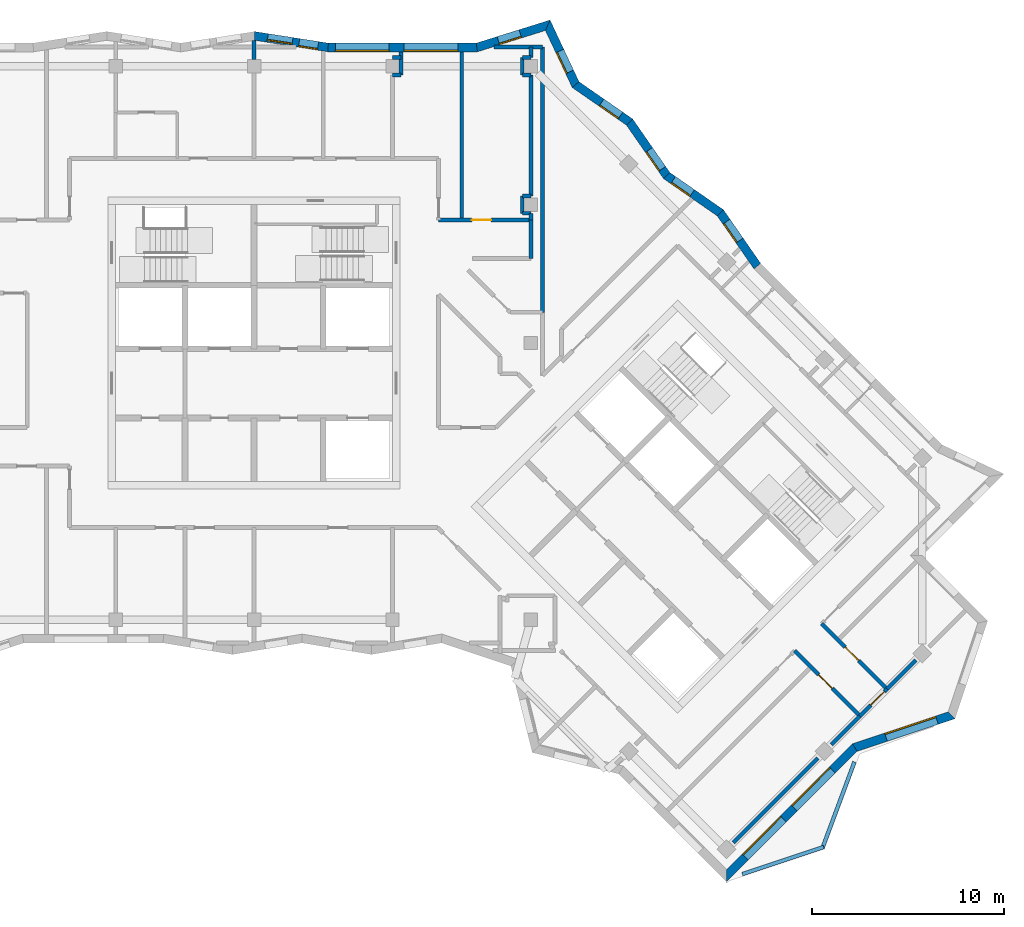
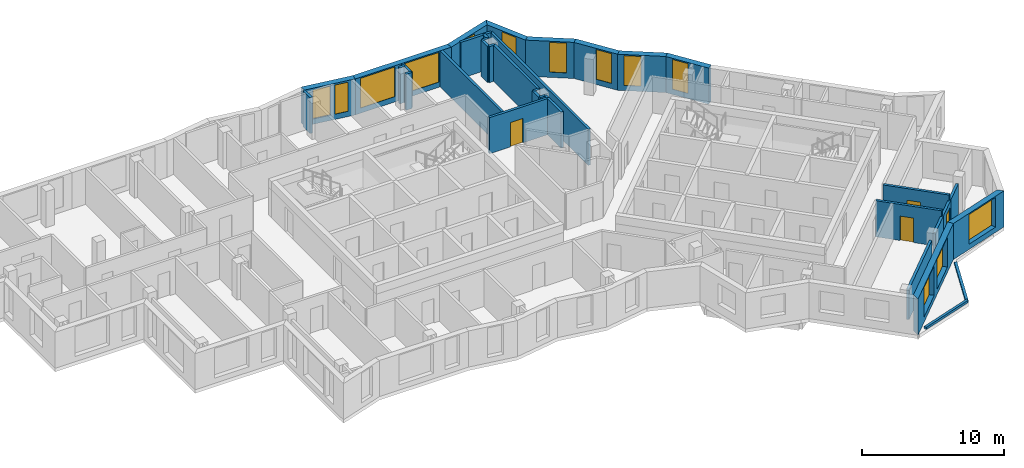
# One storey, part 7 of 12: 36 walls, 13 windows, 4 doors, 17 openings.
"""IFC4 building model written with IfcOpenShell, lengths in metres."""

from ifc_helpers import new_model, si_unit, direction, frame, frame_2d, origin, place, context, subcontext, project, spatial, polyline, rectangle, outline, extrude, material, layer, layer_set, type_object, element, fill, save


model = new_model("IFC4")

# Units and contexts
model_context = context("Model", 3, precision=1e-05, world=origin(), true_north=direction((0.0, 1.0)))
body_context = subcontext(model_context, "Body", "Model", "MODEL_VIEW")
ifc_project = project(units=[si_unit("LENGTHUNIT", "METRE"), si_unit("AREAUNIT", "SQUARE_METRE"), si_unit("VOLUMEUNIT", "CUBIC_METRE"), si_unit("PLANEANGLEUNIT", "RADIAN"), si_unit("MASSUNIT", "GRAM", prefix="KILO")], contexts=[model_context])

# Site, building, storey
site_placement = place(None, origin())
site = spatial("IfcSite", under=ifc_project, at=site_placement, CompositionType="ELEMENT")
building_placement = place(site_placement, origin())
building = spatial("IfcBuilding", under=site, at=building_placement, Name="Windrow Commons", CompositionType="ELEMENT")
storey_placement = place(building_placement, frame((0.0, 0.0, 277.8)))
storey = spatial("IfcBuildingStorey", under=building, at=storey_placement, Name="L76", CompositionType="ELEMENT", Elevation=277.8)

# Wall, openings, windows
ifc_material_1 = material(Name="Brick masonry, red clay brick", Category="masonry")
ifc_layer_1 = layer(ifc_material_1, 0.45)
ifc_layer_set_1 = layer_set([ifc_layer_1], Name="Brick facade wall 450")
wall_type_1 = type_object("IfcWallType", Name="Brick facade wall 450", PredefinedType="SOLIDWALL", material=ifc_layer_set_1)
wall_1_placement = place(storey_placement, frame((89.3823, 29.8918, 0.0), z_axis=(0.0, 0.0, 1.0), x_axis=(0.7071067812, 0.7071067812, 0.0)))
wall_1 = element("IfcWall", 1, at=wall_1_placement, inside=storey, type_object=wall_type_1, Name="Brick facade wall L76 1", PredefinedType="SOLIDWALL", context=body_context, shape_type="SweptSolid", body=[
    extrude(outline(polyline([(-0.225, -0.225), (9.375, -0.225), (9.4812, 0.225), (0.225, 0.225), (-0.225, -0.225)])), origin(), (0.0, 0.0, 1.0), 3.1),
])
opening_1_placement = place(wall_1_placement, frame((1.375, 0.0, 0.45)))
opening_1 = element("IfcOpeningElement", 2, at=opening_1_placement, cuts=wall_1, Name="Opening W1V", PredefinedType="OPENING", context=body_context, shape_type="SweptSolid", body=[
    extrude(rectangle(XDim=2.8, YDim=2.55, at=frame_2d((1.4, 1.275))), frame((0.0, 0.235, 0.0), z_axis=(0.0, -1.0, 0.0), x_axis=(1.0, 0.0, 0.0)), (0.0, 0.0, 1.0), 0.47),
])
opening_2_placement = place(wall_1_placement, frame((4.975, 0.0, 0.45)))
opening_2 = element("IfcOpeningElement", 3, at=opening_2_placement, cuts=wall_1, Name="Opening W1V", PredefinedType="OPENING", context=body_context, shape_type="SweptSolid", body=[
    extrude(rectangle(XDim=2.8, YDim=2.55, at=frame_2d((1.4, 1.275))), frame((0.0, 0.235, 0.0), z_axis=(0.0, -1.0, 0.0), x_axis=(1.0, 0.0, 0.0)), (0.0, 0.0, 1.0), 0.47),
])
ifc_material_2 = material(Name="Clear float glass in anodised aluminium frame", Category="aluminium")
window_type_1 = type_object("IfcWindowType", Name="Window W1V bedroom 2800x2550", PartitioningType="SINGLE_PANEL", PredefinedType="WINDOW", material=ifc_material_2)
window_1_placement = place(opening_1_placement, origin())
window_1 = element("IfcWindow", 4, at=window_1_placement, inside=storey, type_object=window_type_1, Name="Window L76 1.1", OverallHeight=2.55, OverallWidth=2.8, PartitioningType="SINGLE_PANEL", PredefinedType="WINDOW", context=body_context, shape_type="SweptSolid", body=[
    extrude(rectangle(XDim=2.8, YDim=2.55, at=frame_2d((1.4, 1.275))), frame((0.0, 0.205, 0.0), z_axis=(0.0, -1.0, 0.0), x_axis=(1.0, 0.0, 0.0)), (0.0, 0.0, 1.0), 0.06),
])
fill(opening_1, window_1)
window_2_placement = place(opening_2_placement, origin())
window_2 = element("IfcWindow", 5, at=window_2_placement, inside=storey, type_object=window_type_1, Name="Window L76 1.2", OverallHeight=2.55, OverallWidth=2.8, PartitioningType="SINGLE_PANEL", PredefinedType="WINDOW", context=body_context, shape_type="SweptSolid", body=[
    extrude(rectangle(XDim=2.8, YDim=2.55, at=frame_2d((1.4, 1.275))), frame((0.0, 0.205, 0.0), z_axis=(0.0, -1.0, 0.0), x_axis=(1.0, 0.0, 0.0)), (0.0, 0.0, 1.0), 0.06),
])
fill(opening_2, window_2)

# Wall, opening, window
wall_2_placement = place(storey_placement, frame((96.049, 36.5585, 0.0), z_axis=(0.0, 0.0, 1.0), x_axis=(0.9486870665, 0.3162164604, 0.0)))
wall_2 = element("IfcWall", 6, at=wall_2_placement, inside=storey, type_object=wall_type_1, Name="Brick facade wall L76 2", PredefinedType="SOLIDWALL", context=body_context, shape_type="SweptSolid", body=[
    extrude(outline(polyline([(0.0531, -0.225), (5.4197, -0.225), (5.1947, 0.225), (-0.0531, 0.225), (0.0531, -0.225)])), origin(), (0.0, 0.0, 1.0), 3.1),
])
opening_3_placement = place(wall_2_placement, frame((1.704, 0.0, 0.45)))
opening_3 = element("IfcOpeningElement", 7, at=opening_3_placement, cuts=wall_2, Name="Opening W1V", PredefinedType="OPENING", context=body_context, shape_type="SweptSolid", body=[
    extrude(rectangle(XDim=2.8, YDim=2.55, at=frame_2d((1.4, 1.275))), frame((0.0, 0.235, 0.0), z_axis=(0.0, -1.0, 0.0), x_axis=(1.0, 0.0, 0.0)), (0.0, 0.0, 1.0), 0.47),
])
window_3_placement = place(opening_3_placement, origin())
window_3 = element("IfcWindow", 8, at=window_3_placement, inside=storey, type_object=window_type_1, Name="Window L76 2.1", OverallHeight=2.55, OverallWidth=2.8, PartitioningType="SINGLE_PANEL", PredefinedType="WINDOW", context=body_context, shape_type="SweptSolid", body=[
    extrude(rectangle(XDim=2.8, YDim=2.55, at=frame_2d((1.4, 1.275))), frame((0.0, 0.205, 0.0), z_axis=(0.0, -1.0, 0.0), x_axis=(1.0, 0.0, 0.0)), (0.0, 0.0, 1.0), 0.06),
])
fill(opening_3, window_3)

wall_3_placement = place(storey_placement, frame((90.9784, 61.6005, 0.0), z_axis=(0.0, 0.0, 1.0), x_axis=(-0.5702085576, 0.82149997, 0.0)))
wall_3 = element("IfcWall", 9, at=wall_3_placement, inside=storey, type_object=wall_type_1, Name="Brick facade wall L76 9", PredefinedType="SOLIDWALL", context=body_context, shape_type="SweptSolid", body=[
    extrude(outline(polyline([(0.0202, -0.225), (3.4137, -0.225), (3.3324, 0.225), (-0.0202, 0.225), (0.0202, -0.225)])), origin(), (0.0, 0.0, 1.0), 3.1),
])
opening_4_placement = place(wall_3_placement, frame((1.6177, 0.0, 0.45)))
opening_4 = element("IfcOpeningElement", 10, at=opening_4_placement, cuts=wall_3, Name="Opening W7F", PredefinedType="OPENING", context=body_context, shape_type="SweptSolid", body=[
    extrude(rectangle(XDim=1.2, YDim=2.55, at=frame_2d((0.6, 1.275))), frame((0.0, 0.235, 0.0), z_axis=(0.0, -1.0, 0.0), x_axis=(1.0, 0.0, 0.0)), (0.0, 0.0, 1.0), 0.47),
])
ifc_material_3 = material(Name="Clear float glass in anodised aluminium frame", Category="aluminium")
window_type_2 = type_object("IfcWindowType", Name="Window W7 notch 1200x2550", PartitioningType="SINGLE_PANEL", PredefinedType="WINDOW", material=ifc_material_3)
window_4_placement = place(opening_4_placement, origin())
window_4 = element("IfcWindow", 11, at=window_4_placement, inside=storey, type_object=window_type_2, Name="Window L76 9.1", OverallHeight=2.55, OverallWidth=1.2, PartitioningType="SINGLE_PANEL", PredefinedType="WINDOW", context=body_context, shape_type="SweptSolid", body=[
    extrude(rectangle(XDim=1.2, YDim=2.55, at=frame_2d((0.6, 1.275))), frame((0.0, 0.205, 0.0), z_axis=(0.0, -1.0, 0.0), x_axis=(1.0, 0.0, 0.0)), (0.0, 0.0, 1.0), 0.06),
])
fill(opening_4, window_4)

wall_4_placement = place(storey_placement, frame((89.0551, 64.3714, 0.0), z_axis=(0.0, 0.0, 1.0), x_axis=(-0.8214903631, 0.5702223982, 0.0)))
wall_4 = element("IfcWall", 12, at=wall_4_placement, inside=storey, type_object=wall_type_1, Name="Brick facade wall L76 10", PredefinedType="SOLIDWALL", context=body_context, shape_type="SweptSolid", body=[
    extrude(outline(polyline([(-0.0406, -0.225), (3.3529, -0.225), (3.4342, 0.225), (0.0406, 0.225), (-0.0406, -0.225)])), origin(), (0.0, 0.0, 1.0), 3.1),
])
opening_5_placement = place(wall_4_placement, frame((1.7908, 0.0, 0.45)))
opening_5 = element("IfcOpeningElement", 13, at=opening_5_placement, cuts=wall_4, Name="Opening W7F", PredefinedType="OPENING", context=body_context, shape_type="SweptSolid", body=[
    extrude(rectangle(XDim=1.2, YDim=2.55, at=frame_2d((0.6, 1.275))), frame((0.0, 0.235, 0.0), z_axis=(0.0, -1.0, 0.0), x_axis=(1.0, 0.0, 0.0)), (0.0, 0.0, 1.0), 0.47),
])
window_5_placement = place(opening_5_placement, origin())
window_5 = element("IfcWindow", 14, at=window_5_placement, inside=storey, type_object=window_type_2, Name="Window L76 10.1", OverallHeight=2.55, OverallWidth=1.2, PartitioningType="SINGLE_PANEL", PredefinedType="WINDOW", context=body_context, shape_type="SweptSolid", body=[
    extrude(rectangle(XDim=1.2, YDim=2.55, at=frame_2d((0.6, 1.275))), frame((0.0, 0.205, 0.0), z_axis=(0.0, -1.0, 0.0), x_axis=(1.0, 0.0, 0.0)), (0.0, 0.0, 1.0), 0.06),
])
fill(opening_5, window_5)

wall_5_placement = place(storey_placement, frame((86.2673, 66.3065, 0.0), z_axis=(0.0, 0.0, 1.0), x_axis=(-0.5702025117, 0.8215041665, 0.0)))
wall_5 = element("IfcWall", 15, at=wall_5_placement, inside=storey, type_object=wall_type_1, Name="Brick facade wall L76 11", PredefinedType="SOLIDWALL", context=body_context, shape_type="SweptSolid", body=[
    extrude(outline(polyline([(0.0406, -0.225), (3.4342, -0.225), (3.3529, 0.225), (-0.0406, 0.225), (0.0406, -0.225)])), origin(), (0.0, 0.0, 1.0), 3.1),
])
opening_6_placement = place(wall_5_placement, frame((0.4264, 0.0, 0.45)))
opening_6 = element("IfcOpeningElement", 16, at=opening_6_placement, cuts=wall_5, Name="Opening W7F", PredefinedType="OPENING", context=body_context, shape_type="SweptSolid", body=[
    extrude(rectangle(XDim=1.2, YDim=2.55, at=frame_2d((0.6, 1.275))), frame((0.0, 0.235, 0.0), z_axis=(0.0, -1.0, 0.0), x_axis=(1.0, 0.0, 0.0)), (0.0, 0.0, 1.0), 0.47),
])
window_6_placement = place(opening_6_placement, origin())
window_6 = element("IfcWindow", 17, at=window_6_placement, inside=storey, type_object=window_type_2, Name="Window L76 11.1", OverallHeight=2.55, OverallWidth=1.2, PartitioningType="SINGLE_PANEL", PredefinedType="WINDOW", context=body_context, shape_type="SweptSolid", body=[
    extrude(rectangle(XDim=1.2, YDim=2.55, at=frame_2d((0.6, 1.275))), frame((0.0, 0.205, 0.0), z_axis=(0.0, -1.0, 0.0), x_axis=(1.0, 0.0, 0.0)), (0.0, 0.0, 1.0), 0.06),
])
fill(opening_6, window_6)

wall_6_placement = place(storey_placement, frame((84.3323, 69.0943, 0.0), z_axis=(0.0, 0.0, 1.0), x_axis=(-0.821510253, 0.5701937427, 0.0)))
wall_6 = element("IfcWall", 18, at=wall_6_placement, inside=storey, type_object=wall_type_1, Name="Brick facade wall L76 12", PredefinedType="SOLIDWALL", context=body_context, shape_type="SweptSolid", body=[
    extrude(outline(polyline([(-0.0406, -0.225), (3.3529, -0.225), (3.4737, 0.225), (0.0406, 0.225), (-0.0406, -0.225)])), origin(), (0.0, 0.0, 1.0), 3.1),
])
opening_7_placement = place(wall_6_placement, frame((0.579, 0.0, 0.45)))
opening_7 = element("IfcOpeningElement", 19, at=opening_7_placement, cuts=wall_6, Name="Opening W7F", PredefinedType="OPENING", context=body_context, shape_type="SweptSolid", body=[
    extrude(rectangle(XDim=1.2, YDim=2.55, at=frame_2d((0.6, 1.275))), frame((0.0, 0.235, 0.0), z_axis=(0.0, -1.0, 0.0), x_axis=(1.0, 0.0, 0.0)), (0.0, 0.0, 1.0), 0.47),
])
window_7_placement = place(opening_7_placement, origin())
window_7 = element("IfcWindow", 20, at=window_7_placement, inside=storey, type_object=window_type_2, Name="Window L76 12.1", OverallHeight=2.55, OverallWidth=1.2, PartitioningType="SINGLE_PANEL", PredefinedType="WINDOW", context=body_context, shape_type="SweptSolid", body=[
    extrude(rectangle(XDim=1.2, YDim=2.55, at=frame_2d((0.6, 1.275))), frame((0.0, 0.205, 0.0), z_axis=(0.0, -1.0, 0.0), x_axis=(1.0, 0.0, 0.0)), (0.0, 0.0, 1.0), 0.06),
])
fill(opening_7, window_7)

wall_7_placement = place(storey_placement, frame((81.5283, 71.0405, 0.0), z_axis=(0.0, 0.0, 1.0), x_axis=(-0.4256305639, 0.9048970234, 0.0)))
wall_7 = element("IfcWall", 21, at=wall_7_placement, inside=storey, type_object=wall_type_1, Name="Brick facade wall L76 13", PredefinedType="SOLIDWALL", context=body_context, shape_type="SweptSolid", body=[
    extrude(outline(polyline([(0.0604, -0.225), (3.61, -0.225), (3.2175, 0.225), (-0.0604, 0.225), (0.0604, -0.225)])), origin(), (0.0, 0.0, 1.0), 3.1),
])
opening_8_placement = place(wall_7_placement, frame((0.7355, 0.0, 0.45)))
opening_8 = element("IfcOpeningElement", 22, at=opening_8_placement, cuts=wall_7, Name="Opening W7F", PredefinedType="OPENING", context=body_context, shape_type="SweptSolid", body=[
    extrude(rectangle(XDim=1.2, YDim=2.55, at=frame_2d((0.6, 1.275))), frame((0.0, 0.235, 0.0), z_axis=(0.0, -1.0, 0.0), x_axis=(1.0, 0.0, 0.0)), (0.0, 0.0, 1.0), 0.47),
])
window_8_placement = place(opening_8_placement, origin())
window_8 = element("IfcWindow", 23, at=window_8_placement, inside=storey, type_object=window_type_2, Name="Window L76 13.1", OverallHeight=2.55, OverallWidth=1.2, PartitioningType="SINGLE_PANEL", PredefinedType="WINDOW", context=body_context, shape_type="SweptSolid", body=[
    extrude(rectangle(XDim=1.2, YDim=2.55, at=frame_2d((0.6, 1.275))), frame((0.0, 0.205, 0.0), z_axis=(0.0, -1.0, 0.0), x_axis=(1.0, 0.0, 0.0)), (0.0, 0.0, 1.0), 0.06),
])
fill(opening_8, window_8)

wall_8_placement = place(storey_placement, frame((80.0753, 74.1296, 0.0), z_axis=(0.0, 0.0, 1.0), x_axis=(-0.9543297625, -0.2987552583, 0.0)))
wall_8 = element("IfcWall", 24, at=wall_8_placement, inside=storey, type_object=wall_type_1, Name="Brick facade wall L76 14", PredefinedType="SOLIDWALL", context=body_context, shape_type="SweptSolid", body=[
    extrude(outline(polyline([(-0.1963, -0.225), (3.8304, -0.225), (3.8992, 0.225), (0.1963, 0.225), (-0.1963, -0.225)])), origin(), (0.0, 0.0, 1.0), 3.1),
])
opening_9_placement = place(wall_8_placement, frame((1.491, 0.0, 0.45)))
opening_9 = element("IfcOpeningElement", 25, at=opening_9_placement, cuts=wall_8, Name="Opening W7F", PredefinedType="OPENING", context=body_context, shape_type="SweptSolid", body=[
    extrude(rectangle(XDim=1.2, YDim=2.55, at=frame_2d((0.6, 1.275))), frame((0.0, 0.235, 0.0), z_axis=(0.0, -1.0, 0.0), x_axis=(1.0, 0.0, 0.0)), (0.0, 0.0, 1.0), 0.47),
])
window_9_placement = place(opening_9_placement, origin())
window_9 = element("IfcWindow", 26, at=window_9_placement, inside=storey, type_object=window_type_2, Name="Window L76 14.1", OverallHeight=2.55, OverallWidth=1.2, PartitioningType="SINGLE_PANEL", PredefinedType="WINDOW", context=body_context, shape_type="SweptSolid", body=[
    extrude(rectangle(XDim=1.2, YDim=2.55, at=frame_2d((0.6, 1.275))), frame((0.0, 0.205, 0.0), z_axis=(0.0, -1.0, 0.0), x_axis=(1.0, 0.0, 0.0)), (0.0, 0.0, 1.0), 0.06),
])
fill(opening_9, window_9)

# Wall, openings, windows
wall_9_placement = place(storey_placement, frame((76.3871, 72.975, 0.0), z_axis=(0.0, 0.0, 1.0), x_axis=(-1.0, 0.0, 0.0)))
wall_9 = element("IfcWall", 27, at=wall_9_placement, inside=storey, type_object=wall_type_1, Name="Brick facade wall L76 15", PredefinedType="SOLIDWALL", context=body_context, shape_type="SweptSolid", body=[
    extrude(outline(polyline([(0.0344, -0.225), (7.7199, -0.225), (7.755, 0.225), (-0.0344, 0.225), (0.0344, -0.225)])), origin(), (0.0, 0.0, 1.0), 3.1),
])
opening_10_placement = place(wall_9_placement, frame((0.9871, 0.0, 0.45)))
opening_10 = element("IfcOpeningElement", 28, at=opening_10_placement, cuts=wall_9, Name="Opening W1V", PredefinedType="OPENING", context=body_context, shape_type="SweptSolid", body=[
    extrude(rectangle(XDim=2.8, YDim=2.55, at=frame_2d((1.4, 1.275))), frame((0.0, 0.235, 0.0), z_axis=(0.0, -1.0, 0.0), x_axis=(1.0, 0.0, 0.0)), (0.0, 0.0, 1.0), 0.47),
])
opening_11_placement = place(wall_9_placement, frame((4.5622, 0.0, 0.45)))
opening_11 = element("IfcOpeningElement", 29, at=opening_11_placement, cuts=wall_9, Name="Opening W1V", PredefinedType="OPENING", context=body_context, shape_type="SweptSolid", body=[
    extrude(rectangle(XDim=2.8, YDim=2.55, at=frame_2d((1.4, 1.275))), frame((0.0, 0.235, 0.0), z_axis=(0.0, -1.0, 0.0), x_axis=(1.0, 0.0, 0.0)), (0.0, 0.0, 1.0), 0.47),
])
window_10_placement = place(opening_10_placement, origin())
window_10 = element("IfcWindow", 30, at=window_10_placement, inside=storey, type_object=window_type_1, Name="Window L76 15.1", OverallHeight=2.55, OverallWidth=2.8, PartitioningType="SINGLE_PANEL", PredefinedType="WINDOW", context=body_context, shape_type="SweptSolid", body=[
    extrude(rectangle(XDim=2.8, YDim=2.55, at=frame_2d((1.4, 1.275))), frame((0.0, 0.205, 0.0), z_axis=(0.0, -1.0, 0.0), x_axis=(1.0, 0.0, 0.0)), (0.0, 0.0, 1.0), 0.06),
])
fill(opening_10, window_10)
window_11_placement = place(opening_11_placement, origin())
window_11 = element("IfcWindow", 31, at=window_11_placement, inside=storey, type_object=window_type_1, Name="Window L76 15.2", OverallHeight=2.55, OverallWidth=2.8, PartitioningType="SINGLE_PANEL", PredefinedType="WINDOW", context=body_context, shape_type="SweptSolid", body=[
    extrude(rectangle(XDim=2.8, YDim=2.55, at=frame_2d((1.4, 1.275))), frame((0.0, 0.205, 0.0), z_axis=(0.0, -1.0, 0.0), x_axis=(1.0, 0.0, 0.0)), (0.0, 0.0, 1.0), 0.06),
])
fill(opening_11, window_11)

wall_10_placement = place(storey_placement, frame((68.6496, 72.975, 0.0), z_axis=(0.0, 0.0, 1.0), x_axis=(-0.9879128581, 0.1550102733, 0.0)))
wall_10 = element("IfcWall", 32, at=wall_10_placement, inside=storey, type_object=wall_type_1, Name="Brick facade wall L76 16", PredefinedType="SOLIDWALL", context=body_context, shape_type="SweptSolid", body=[
    extrude(outline(polyline([(0.0175, -0.225), (3.9073, -0.225), (3.8367, 0.225), (-0.0175, 0.225), (0.0175, -0.225)])), origin(), (0.0, 0.0, 1.0), 3.1),
])
opening_12_placement = place(wall_10_placement, frame((0.5314, 0.0, 0.45)))
opening_12 = element("IfcOpeningElement", 33, at=opening_12_placement, cuts=wall_10, Name="Opening W1S", PredefinedType="OPENING", context=body_context, shape_type="SweptSolid", body=[
    extrude(rectangle(XDim=1.0, YDim=2.5, at=frame_2d((0.5, 1.25))), frame((0.0, 0.235, 0.0), z_axis=(0.0, -1.0, 0.0), x_axis=(1.0, 0.0, 0.0)), (0.0, 0.0, 1.0), 0.47),
])
opening_13_placement = place(wall_10_placement, frame((1.8814, 0.0, 0.45)))
opening_13 = element("IfcOpeningElement", 34, at=opening_13_placement, cuts=wall_10, Name="Opening W1Q", PredefinedType="OPENING", context=body_context, shape_type="SweptSolid", body=[
    extrude(rectangle(XDim=1.3, YDim=2.5, at=frame_2d((0.65, 1.25))), frame((0.0, 0.235, 0.0), z_axis=(0.0, -1.0, 0.0), x_axis=(1.0, 0.0, 0.0)), (0.0, 0.0, 1.0), 0.47),
])
ifc_material_4 = material(Name="Clear float glass in anodised aluminium frame", Category="aluminium")
window_type_3 = type_object("IfcWindowType", Name="Window W1Q pair 1300x2500", PartitioningType="SINGLE_PANEL", PredefinedType="WINDOW", material=ifc_material_4)
window_12_placement = place(opening_13_placement, origin())
window_12 = element("IfcWindow", 35, at=window_12_placement, inside=storey, type_object=window_type_3, Name="Window L76 16.1B", OverallHeight=2.5, OverallWidth=1.3, PartitioningType="SINGLE_PANEL", PredefinedType="WINDOW", context=body_context, shape_type="SweptSolid", body=[
    extrude(rectangle(XDim=1.3, YDim=2.5, at=frame_2d((0.65, 1.25))), frame((0.0, 0.135, 0.0), z_axis=(0.0, -1.0, 0.0), x_axis=(1.0, 0.0, 0.0)), (0.0, 0.0, 1.0), 0.06),
])
fill(opening_13, window_12)
ifc_material_5 = material(Name="Clear float glass in anodised aluminium frame", Category="aluminium")
window_type_4 = type_object("IfcWindowType", Name="Window W1S slit 1000x2500", PartitioningType="SINGLE_PANEL", PredefinedType="WINDOW", material=ifc_material_5)
window_13_placement = place(opening_12_placement, origin())
window_13 = element("IfcWindow", 36, at=window_13_placement, inside=storey, type_object=window_type_4, Name="Window L76 16.1A", OverallHeight=2.5, OverallWidth=1.0, PartitioningType="SINGLE_PANEL", PredefinedType="WINDOW", context=body_context, shape_type="SweptSolid", body=[
    extrude(rectangle(XDim=1.0, YDim=2.5, at=frame_2d((0.5, 1.25))), frame((0.0, 0.205, 0.0), z_axis=(0.0, -1.0, 0.0), x_axis=(1.0, 0.0, 0.0)), (0.0, 0.0, 1.0), 0.06),
])
fill(opening_12, window_13)

# Wall, opening, door
ifc_material_6 = material(Name="Blockwork partition", Category="masonry")
ifc_layer_2 = layer(ifc_material_6, 0.2)
ifc_layer_set_2 = layer_set([ifc_layer_2], Name="IW-CORRIDOR-200")
wall_type_2 = type_object("IfcWallType", Name="IW-CORRIDOR-200", PredefinedType="PARTITIONING", material=ifc_layer_set_2)
wall_11_placement = place(storey_placement, frame((92.9149, 41.5909, 0.0), z_axis=(0.0, 0.0, 1.0), x_axis=(0.7071067812, -0.7071067812, 0.0)))
wall_11 = element("IfcWall", 37, at=wall_11_placement, inside=storey, type_object=wall_type_2, Name="W-L76-W033", PredefinedType="PARTITIONING", context=body_context, shape_type="SweptSolid", body=[
    extrude(rectangle(XDim=4.7998, YDim=0.2, at=frame_2d((2.3999, 0.0))), origin(), (0.0, 0.0, 1.0), 3.1),
])
opening_14_placement = place(wall_11_placement, frame((1.7671, 0.0, 0.0)))
opening_14 = element("IfcOpeningElement", 38, at=opening_14_placement, cuts=wall_11, Name="Opening D310F", PredefinedType="OPENING", context=body_context, shape_type="SweptSolid", body=[
    extrude(rectangle(XDim=1.0, YDim=2.1, at=frame_2d((0.5, 1.05))), frame((0.0, 0.11, 0.0), z_axis=(0.0, -1.0, 0.0), x_axis=(1.0, 0.0, 0.0)), (0.0, 0.0, 1.0), 0.22),
])
ifc_material_7 = material(Name="Timber door leaf", Category="wood")
door_type = type_object("IfcDoorType", Name="DT-AMENITY-1000", OperationType="SINGLE_SWING_LEFT", PredefinedType="DOOR", material=ifc_material_7)
door_1_placement = place(opening_14_placement, origin())
door_1 = element("IfcDoor", 39, at=door_1_placement, inside=storey, type_object=door_type, Name="D-L76-D038", OperationType="SINGLE_SWING_LEFT", OverallHeight=2.1, OverallWidth=1.0, PredefinedType="DOOR", context=body_context, shape_type="SweptSolid", body=[
    extrude(rectangle(XDim=1.0, YDim=2.1, at=frame_2d((0.5, 1.05))), frame((0.0, 0.025, 0.0), z_axis=(0.0, -1.0, 0.0), x_axis=(1.0, 0.0, 0.0)), (0.0, 0.0, 1.0), 0.05),
])
fill(opening_14, door_1)

wall_12_placement = place(storey_placement, frame((94.3291, 43.0051, 0.0), z_axis=(0.0, 0.0, 1.0), x_axis=(0.7071067812, -0.7071067812, 0.0)))
wall_12 = element("IfcWall", 40, at=wall_12_placement, inside=storey, type_object=wall_type_2, Name="W-L76-W034", PredefinedType="PARTITIONING", context=body_context, shape_type="SweptSolid", body=[
    extrude(rectangle(XDim=4.7998, YDim=0.2, at=frame_2d((2.3999, 0.0))), origin(), (0.0, 0.0, 1.0), 3.1),
])
opening_15_placement = place(wall_12_placement, frame((1.7246, 0.0, 0.0)))
opening_15 = element("IfcOpeningElement", 41, at=opening_15_placement, cuts=wall_12, Name="Opening D310F", PredefinedType="OPENING", context=body_context, shape_type="SweptSolid", body=[
    extrude(rectangle(XDim=1.0, YDim=2.1, at=frame_2d((0.5, 1.05))), frame((0.0, 0.11, 0.0), z_axis=(0.0, -1.0, 0.0), x_axis=(1.0, 0.0, 0.0)), (0.0, 0.0, 1.0), 0.22),
])
door_2_placement = place(opening_15_placement, origin())
door_2 = element("IfcDoor", 42, at=door_2_placement, inside=storey, type_object=door_type, Name="D-L76-D039", OperationType="SINGLE_SWING_RIGHT", OverallHeight=2.1, OverallWidth=1.0, PredefinedType="DOOR", context=body_context, shape_type="SweptSolid", body=[
    extrude(rectangle(XDim=1.0, YDim=2.1, at=frame_2d((0.5, 1.05))), frame((0.0, 0.025, 0.0), z_axis=(0.0, -1.0, 0.0), x_axis=(1.0, 0.0, 0.0)), (0.0, 0.0, 1.0), 0.05),
])
fill(opening_15, door_2)

wall_13_placement = place(storey_placement, frame((74.402, 64.0, 0.0), z_axis=(0.0, 0.0, 1.0), x_axis=(1.0, 0.0, 0.0)))
wall_13 = element("IfcWall", 43, at=wall_13_placement, inside=storey, type_object=wall_type_2, Name="W-L76-W035", PredefinedType="PARTITIONING", context=body_context, shape_type="SweptSolid", body=[
    extrude(rectangle(XDim=4.798, YDim=0.2, at=frame_2d((2.399, 0.0))), origin(), (0.0, 0.0, 1.0), 3.1),
])
opening_16_placement = place(wall_13_placement, frame((1.723, 0.0, 0.0)))
opening_16 = element("IfcOpeningElement", 44, at=opening_16_placement, cuts=wall_13, Name="Opening D310F", PredefinedType="OPENING", context=body_context, shape_type="SweptSolid", body=[
    extrude(rectangle(XDim=1.0, YDim=2.1, at=frame_2d((0.5, 1.05))), frame((0.0, 0.11, 0.0), z_axis=(0.0, -1.0, 0.0), x_axis=(1.0, 0.0, 0.0)), (0.0, 0.0, 1.0), 0.22),
])
door_3_placement = place(opening_16_placement, origin())
door_3 = element("IfcDoor", 45, at=door_3_placement, inside=storey, type_object=door_type, Name="D-L76-D006", OperationType="SINGLE_SWING_LEFT", OverallHeight=2.1, OverallWidth=1.0, PredefinedType="DOOR", context=body_context, shape_type="SweptSolid", body=[
    extrude(rectangle(XDim=1.0, YDim=2.1, at=frame_2d((0.5, 1.05))), frame((0.0, 0.025, 0.0), z_axis=(0.0, -1.0, 0.0), x_axis=(1.0, 0.0, 0.0)), (0.0, 0.0, 1.0), 0.05),
])
fill(opening_16, door_3)

# Wall
wall_14_placement = place(storey_placement, frame((79.2, 62.0, 0.0), z_axis=(0.0, 0.0, 1.0), x_axis=(0.0, 1.0, 0.0)))
element("IfcWall", 46, at=wall_14_placement, inside=storey, type_object=wall_type_2, Name="W-L76-W087", PredefinedType="PARTITIONING", context=body_context, shape_type="SweptSolid", body=[
    extrude(rectangle(XDim=2.0, YDim=0.2, at=frame_2d((1.0, 0.0))), origin(), (0.0, 0.0, 1.0), 3.1),
])

# Wall, opening, door
wall_15_placement = place(storey_placement, frame((96.311, 38.201, 0.0), z_axis=(0.0, 0.0, 1.0), x_axis=(0.7071067812, 0.7071067812, 0.0)))
wall_15 = element("IfcWall", 47, at=wall_15_placement, inside=storey, type_object=wall_type_2, Name="W-L76-W088", PredefinedType="PARTITIONING", context=body_context, shape_type="SweptSolid", body=[
    extrude(rectangle(XDim=1.9997, YDim=0.2, at=frame_2d((0.9999, 0.0))), origin(), (0.0, 0.0, 1.0), 2.6),
])
opening_17_placement = place(wall_15_placement, frame((0.8031, 0.0, 0.0)))
opening_17 = element("IfcOpeningElement", 48, at=opening_17_placement, cuts=wall_15, Name="Opening D310F", PredefinedType="OPENING", context=body_context, shape_type="SweptSolid", body=[
    extrude(rectangle(XDim=1.0, YDim=2.1, at=frame_2d((0.5, 1.05))), frame((0.0, 0.11, 0.0), z_axis=(0.0, -1.0, 0.0), x_axis=(1.0, 0.0, 0.0)), (0.0, 0.0, 1.0), 0.22),
])
door_4_placement = place(opening_17_placement, origin())
door_4 = element("IfcDoor", 49, at=door_4_placement, inside=storey, type_object=door_type, Name="D-L76-D040", OperationType="SINGLE_SWING_RIGHT", OverallHeight=2.1, OverallWidth=1.0, PredefinedType="DOOR", context=body_context, shape_type="SweptSolid", body=[
    extrude(rectangle(XDim=1.0, YDim=2.1, at=frame_2d((0.5, 1.05))), frame((0.0, 0.025, 0.0), z_axis=(0.0, -1.0, 0.0), x_axis=(1.0, 0.0, 0.0)), (0.0, 0.0, 1.0), 0.05),
])
fill(opening_17, door_4)

# Walls
ifc_material_8 = material(Name="Blockwork partition", Category="masonry")
ifc_layer_3 = layer(ifc_material_8, 0.2)
ifc_layer_set_3 = layer_set([ifc_layer_3], Name="IW-PARTY-200")
wall_type_3 = type_object("IfcWallType", Name="IW-PARTY-200", PredefinedType="PARTITIONING", material=ifc_layer_set_3)
wall_16_placement = place(storey_placement, frame((79.8, 59.2, 0.0), z_axis=(0.0, 0.0, 1.0), x_axis=(0.0, 1.0, 0.0)))
element("IfcWall", 50, at=wall_16_placement, inside=storey, type_object=wall_type_3, Name="W-L76-W003", PredefinedType="PARTITIONING", context=body_context, shape_type="SweptSolid", body=[
    extrude(rectangle(XDim=13.8, YDim=0.2, at=frame_2d((6.9, 0.0))), origin(), (0.0, 0.0, 1.0), 3.1),
])
wall_17_placement = place(storey_placement, frame((75.6, 64.0, 0.0), z_axis=(0.0, 0.0, 1.0), x_axis=(0.0, 1.0, 0.0)))
element("IfcWall", 51, at=wall_17_placement, inside=storey, type_object=wall_type_3, Name="W-L76-W010", PredefinedType="PARTITIONING", context=body_context, shape_type="SweptSolid", body=[
    extrude(rectangle(XDim=8.75, YDim=0.2, at=frame_2d((4.375, 0.0))), origin(), (0.0, 0.0, 1.0), 3.1),
])
wall_18_placement = place(storey_placement, frame((79.2, 65.254, 0.0), z_axis=(0.0, 0.0, 1.0), x_axis=(0.0, 1.0, 0.0)))
element("IfcWall", 52, at=wall_18_placement, inside=storey, type_object=wall_type_3, Name="W-L76-W023", PredefinedType="PARTITIONING", context=body_context, shape_type="SweptSolid", body=[
    extrude(rectangle(XDim=6.292, YDim=0.2, at=frame_2d((3.146, 0.0))), origin(), (0.0, 0.0, 1.0), 3.1),
])
wall_19_placement = place(storey_placement, frame((89.731, 31.621, 0.0), z_axis=(0.0, 0.0, 1.0), x_axis=(0.7071067812, 0.7071067812, 0.0)))
element("IfcWall", 53, at=wall_19_placement, inside=storey, type_object=wall_type_3, Name="W-L76-W024", PredefinedType="PARTITIONING", context=body_context, shape_type="SweptSolid", body=[
    extrude(rectangle(XDim=6.2112, YDim=0.2, at=frame_2d((3.1056, 0.0))), origin(), (0.0, 0.0, 1.0), 2.6),
])
wall_20_placement = place(storey_placement, frame((77.27, 73.0, 0.0), z_axis=(0.0, 0.0, 1.0), x_axis=(1.0, 0.0, 0.0)))
element("IfcWall", 54, at=wall_20_placement, inside=storey, type_object=wall_type_3, Name="W-L76-W068", PredefinedType="PARTITIONING", context=body_context, shape_type="SweptSolid", body=[
    extrude(rectangle(XDim=2.53, YDim=0.2, at=frame_2d((1.265, 0.0))), origin(), (0.0, 0.0, 1.0), 3.1),
])
wall_21_placement = place(storey_placement, frame((97.725, 39.615, 0.0), z_axis=(0.0, 0.0, 1.0), x_axis=(0.7071067812, 0.7071067812, 0.0)))
element("IfcWall", 55, at=wall_21_placement, inside=storey, type_object=wall_type_3, Name="W-L76-W081", PredefinedType="PARTITIONING", context=body_context, shape_type="SweptSolid", body=[
    extrude(rectangle(XDim=2.1072, YDim=0.2, at=frame_2d((1.0536, 0.0))), origin(), (0.0, 0.0, 1.0), 2.6),
])
wall_22_placement = place(storey_placement, frame((94.823, 36.713, 0.0), z_axis=(0.0, 0.0, 1.0), x_axis=(0.7071067812, 0.7071067812, 0.0)))
element("IfcWall", 56, at=wall_22_placement, inside=storey, type_object=wall_type_3, Name="W-L76-W082", PredefinedType="PARTITIONING", context=body_context, shape_type="SweptSolid", body=[
    extrude(rectangle(XDim=2.1043, YDim=0.2, at=frame_2d((1.0521, 0.0))), origin(), (0.0, 0.0, 1.0), 2.6),
])
wall_23_placement = place(storey_placement, frame((78.75, 64.346, 0.0), z_axis=(0.0, 0.0, 1.0), x_axis=(0.0, 1.0, 0.0)))
element("IfcWall", 57, at=wall_23_placement, inside=storey, type_object=wall_type_3, Name="W-L76-W107", PredefinedType="PARTITIONING", context=body_context, shape_type="SweptSolid", body=[
    extrude(rectangle(XDim=0.908, YDim=0.2, at=frame_2d((0.454, 0.0))), origin(), (0.0, 0.0, 1.0), 3.1),
])
wall_24_placement = place(storey_placement, frame((72.45, 71.546, 0.0), z_axis=(0.0, 0.0, 1.0), x_axis=(0.0, 1.0, 0.0)))
element("IfcWall", 58, at=wall_24_placement, inside=storey, type_object=wall_type_3, Name="W-L76-W108", PredefinedType="PARTITIONING", context=body_context, shape_type="SweptSolid", body=[
    extrude(rectangle(XDim=1.204, YDim=0.2, at=frame_2d((0.602, 0.0))), origin(), (0.0, 0.0, 1.0), 3.1),
])
wall_25_placement = place(storey_placement, frame((78.75, 71.546, 0.0), z_axis=(0.0, 0.0, 1.0), x_axis=(0.0, 1.0, 0.0)))
element("IfcWall", 59, at=wall_25_placement, inside=storey, type_object=wall_type_3, Name="W-L76-W109", PredefinedType="PARTITIONING", context=body_context, shape_type="SweptSolid", body=[
    extrude(rectangle(XDim=0.908, YDim=0.2, at=frame_2d((0.454, 0.0))), origin(), (0.0, 0.0, 1.0), 3.1),
])
wall_26_placement = place(storey_placement, frame((64.8, 72.35, 0.0), z_axis=(0.0, 0.0, 1.0), x_axis=(0.0, 1.0, 0.0)))
element("IfcWall", 60, at=wall_26_placement, inside=storey, type_object=wall_type_3, Name="W-L76-W124", PredefinedType="PARTITIONING", context=body_context, shape_type="SweptSolid", body=[
    extrude(rectangle(XDim=0.9937, YDim=0.2, at=frame_2d((0.4969, 0.0))), origin(), (0.0, 0.0, 1.0), 3.1),
])
wall_27_placement = place(storey_placement, frame((79.2, 72.454, 0.0), z_axis=(0.0, 0.0, 1.0), x_axis=(0.0, 1.0, 0.0)))
element("IfcWall", 61, at=wall_27_placement, inside=storey, type_object=wall_type_3, Name="W-L76-W126", PredefinedType="PARTITIONING", context=body_context, shape_type="SweptSolid", body=[
    extrude(rectangle(XDim=0.546, YDim=0.2, at=frame_2d((0.273, 0.0))), origin(), (0.0, 0.0, 1.0), 3.1),
])
for number, where, z_axis, x_axis, name in (
    (62, (72.0, 71.55, 0.0), (0.0, 0.0, 1.0), (1.0, 0.0, 0.0), "W-L76-W134"),
    (63, (78.75, 71.55, 0.0), (0.0, 0.0, 1.0), (1.0, 0.0, 0.0), "W-L76-W135"),
    (64, (72.0, 72.45, 0.0), (0.0, 0.0, 1.0), (1.0, 0.0, 0.0), "W-L76-W136"),
    (65, (78.75, 72.45, 0.0), (0.0, 0.0, 1.0), (1.0, 0.0, 0.0), "W-L76-W137"),
    (66, (78.75, 65.25, 0.0), (0.0, 0.0, 1.0), (1.0, 0.0, 0.0), "W-L76-W138"),
    (67, (78.75, 64.35, 0.0), (0.0, 0.0, 1.0), (1.0, 0.0, 0.0), "W-L76-W139"),
):
    element("IfcWall", number, at=place(storey_placement, frame(where, z_axis=z_axis, x_axis=x_axis)), inside=storey, type_object=wall_type_3, Name=name, PredefinedType="PARTITIONING", context=body_context, shape_type="SweptSolid", body=[
        extrude(rectangle(XDim=0.45, YDim=0.2, at=frame_2d((0.225, 0.0))), origin(), (0.0, 0.0, 1.0), 3.1),
    ])
wall_28_placement = place(storey_placement, frame((79.2, 64.0, 0.0), z_axis=(0.0, 0.0, 1.0), x_axis=(0.0, 1.0, 0.0)))
element("IfcWall", 68, at=wall_28_placement, inside=storey, type_object=wall_type_3, Name="W-L76-W146", PredefinedType="PARTITIONING", context=body_context, shape_type="SweptSolid", body=[
    extrude(rectangle(XDim=0.346, YDim=0.2, at=frame_2d((0.173, 0.0))), origin(), (0.0, 0.0, 1.0), 3.1),
])
ifc_material_9 = material(Name="Brick masonry, red clay brick", Category="masonry")
ifc_layer_4 = layer(ifc_material_9, 0.2)
ifc_layer_set_4 = layer_set([ifc_layer_4], Name="Terrace edge parapet 200")
wall_type_4 = type_object("IfcWallType", Name="Terrace edge parapet 200", PredefinedType="PARAPET", material=ifc_layer_set_4)
wall_29_placement = place(storey_placement, frame((96.0323, 35.8122, 0.0), z_axis=(0.0, 0.0, 1.0), x_axis=(-0.3481765915, -0.9374289633, 0.0)))
element("IfcWall", 69, at=wall_29_placement, inside=storey, type_object=wall_type_4, Name="Pleat tip roof kerb L75 3", PredefinedType="PARAPET", context=body_context, shape_type="SweptSolid", body=[
    extrude(rectangle(XDim=4.8002, YDim=0.2, at=frame_2d((2.4001, 0.0))), origin(), (0.0, 0.0, 1.0), 0.2),
])
wall_30_placement = place(storey_placement, frame((94.4355, 31.3845, 0.0), z_axis=(0.0, 0.0, 1.0), x_axis=(-0.9486832981, -0.316227766, 0.0)))
element("IfcWall", 70, at=wall_30_placement, inside=storey, type_object=wall_type_4, Name="Pleat tip roof kerb L75 4", PredefinedType="PARAPET", context=body_context, shape_type="SweptSolid", body=[
    extrude(rectangle(XDim=4.4721, YDim=0.2, at=frame_2d((2.2361, 0.0))), origin(), (0.0, 0.0, 1.0), 0.2),
])

save(model, "model.ifc")
